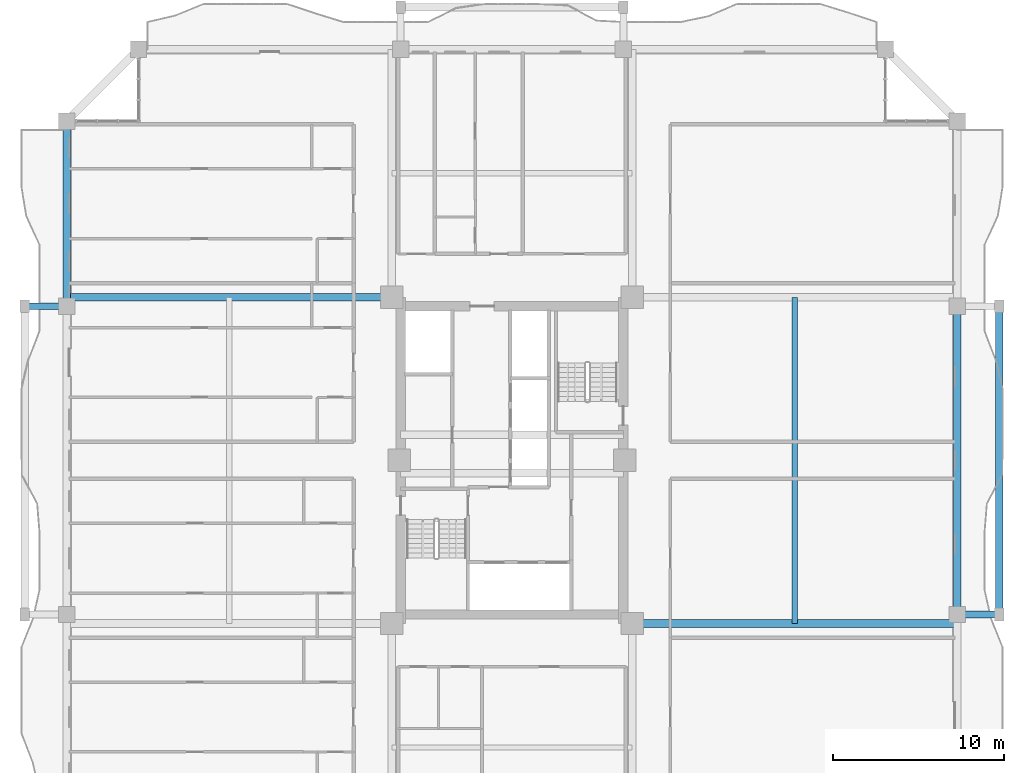
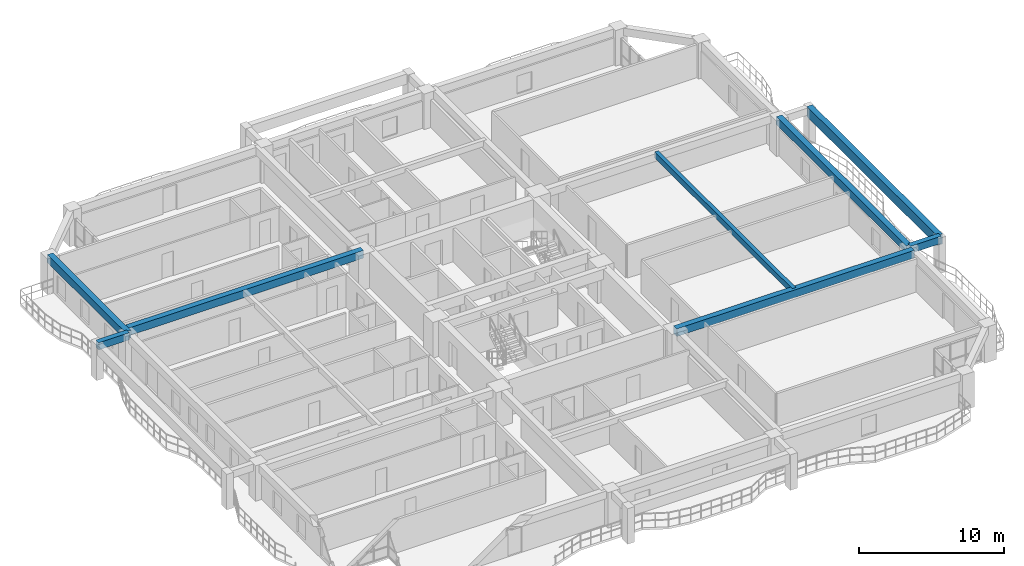
# One storey, part 5 of 22: 8 beams.
"""IFC4 building model written with IfcOpenShell, lengths in metres."""

from ifc_helpers import new_model, si_unit, direction, frame, origin, origin_2d, place, context, subcontext, project, spatial, rectangle, extrude, source, transform, mapped, material, material_profile, profile_set, type_object, element, save


model = new_model("IFC4")

# Units and contexts
model_context = context("Model", 3, precision=1e-05, world=origin(), true_north=direction((0.0, 1.0)))
body_context = subcontext(model_context, "Body", "Model", "MODEL_VIEW")
ifc_project = project(units=[si_unit("LENGTHUNIT", "METRE"), si_unit("AREAUNIT", "SQUARE_METRE"), si_unit("VOLUMEUNIT", "CUBIC_METRE"), si_unit("PLANEANGLEUNIT", "RADIAN"), si_unit("MASSUNIT", "GRAM", prefix="KILO")], contexts=[model_context])

# Site, building, storey
site_placement = place(None, origin())
site = spatial("IfcSite", under=ifc_project, at=site_placement, CompositionType="ELEMENT")
building_placement = place(site_placement, origin())
building = spatial("IfcBuilding", under=site, at=building_placement, Name="Saelheon Loggia Tower", CompositionType="ELEMENT")
storey_placement = place(building_placement, frame((0.0, 0.0, 135.75)))
storey = spatial("IfcBuildingStorey", under=building, at=storey_placement, Name="L43", CompositionType="ELEMENT", Elevation=135.75)

# Beams
ifc_material_1 = material(Name="Precast Concrete C45/55", Category="concrete")
ifc_material_profile_1 = material_profile(ifc_material_1, rectangle(XDim=0.39990234375, YDim=0.60009765625, at=origin_2d()), Name="RC-400x600")
ifc_profile_set_1 = profile_set([ifc_material_profile_1], Name="Precast Concrete C45/55")
beam_type_1 = type_object("IfcBeamType", Name="Beam_LoggiaTie_RC400x600", PredefinedType="BEAM", material=ifc_profile_set_1)
shared_shape_1 = source(origin(), body_context, "Body", "SweptSolid", [
    extrude(rectangle(XDim=0.39990234375, YDim=0.60009765625, at=origin_2d()), origin(), (0.0, 0.0, 1.0), 2.449951171875),
])
for number, where, z_axis, x_axis, name in (
    (1, (64.0, 18.0, 2.699951171875), (1.0, 0.0, 0.0), (0.0, 1.0, 0.0), "L43 Loggia Frame Tie Beam LP-E1"),
    (2, (12.0, 36.0, 2.699951171875), (-1.0, 0.0, 0.0), (0.0, -1.0, 0.0), "L43 Loggia Frame Tie Beam LP-W2"),
):
    element("IfcBeam", number, at=place(storey_placement, frame(where, z_axis=z_axis, x_axis=x_axis)), inside=storey, type_object=beam_type_1, Name=name, PredefinedType="BEAM", context=body_context, shape_type="MappedRepresentation", body=[
        mapped(shared_shape_1, transform((0.0, 0.0, 0.0), scale=1.0)),
    ])
ifc_material_profile_2 = material_profile(ifc_material_1, rectangle(XDim=0.449951171875, YDim=0.85009765625, at=origin_2d()), Name="RC-450x850")
ifc_profile_set_2 = profile_set([ifc_material_profile_2], Name="Precast Concrete C45/55")
beam_type_2 = type_object("IfcBeamType", Name="Beam_LoggiaSpandrel_RC450x850", PredefinedType="SPANDREL", material=ifc_profile_set_2)
shared_shape_2 = source(origin(), body_context, "Body", "SweptSolid", [
    extrude(rectangle(XDim=0.449951171875, YDim=0.85009765625, at=origin_2d()), origin(), (0.0, 0.0, 1.0), 18.0),
])
beam_1_placement = place(storey_placement, frame((66.449951171875, 18.0, 2.574951171875), z_axis=(0.0, 1.0, 0.0), x_axis=(-1.0, 0.0, 0.0)))
element("IfcBeam", 3, at=beam_1_placement, inside=storey, type_object=beam_type_2, Name="L43 Loggia Spandrel Beam E", PredefinedType="SPANDREL", context=body_context, shape_type="MappedRepresentation", body=[
    mapped(shared_shape_2, transform((0.0, 0.0, 0.0), scale=1.0)),
])
ifc_material_2 = material(Name="Concrete C40/50", Category="concrete")
ifc_material_profile_3 = material_profile(ifc_material_2, rectangle(XDim=0.449951171875, YDim=0.64990234375, at=origin_2d()), Name="RC-450x650")
ifc_profile_set_3 = profile_set([ifc_material_profile_3], Name="Concrete C40/50")
beam_type_3 = type_object("IfcBeamType", Name="Beam_PerimTower_RC450x650", PredefinedType="BEAM", material=ifc_profile_set_3)
shared_shape_3 = source(origin(), body_context, "Body", "SweptSolid", [
    extrude(rectangle(XDim=0.449951171875, YDim=0.64990234375, at=origin_2d()), origin(), (0.0, 0.0, 1.0), 10.800048828125),
])
beam_2_placement = place(storey_placement, frame((12.0, 46.800048828125, 2.675048828125), z_axis=(0.0, -1.0, 0.0), x_axis=(1.0, 0.0, 0.0)))
element("IfcBeam", 4, at=beam_2_placement, inside=storey, type_object=beam_type_3, Name="L43 Perimeter Frame Girder 13", PredefinedType="BEAM", context=body_context, shape_type="MappedRepresentation", body=[
    mapped(shared_shape_3, transform((0.0, 0.0, 0.0), scale=1.0)),
])
shared_shape_4 = source(origin(), body_context, "Body", "SweptSolid", [
    extrude(rectangle(XDim=0.449951171875, YDim=0.64990234375, at=origin_2d()), origin(), (0.0, 0.0, 1.0), 18.0),
])
beam_3_placement = place(storey_placement, frame((64.0, 18.0, 2.675048828125), z_axis=(0.0, 1.0, 0.0), x_axis=(-1.0, 0.0, 0.0)))
element("IfcBeam", 5, at=beam_3_placement, inside=storey, type_object=beam_type_3, Name="L43 Perimeter Frame Girder 06", PredefinedType="BEAM", context=body_context, shape_type="MappedRepresentation", body=[
    mapped(shared_shape_4, transform((0.0, 0.0, 0.0), scale=1.0)),
])
ifc_material_profile_4 = material_profile(ifc_material_2, rectangle(XDim=0.449951171875, YDim=0.64990234375, at=origin_2d()), Name="RC-450x650")
ifc_profile_set_4 = profile_set([ifc_material_profile_4], Name="Concrete C40/50")
beam_type_4 = type_object("IfcBeamType", Name="Beam_TowerGirder_RC450x650", PredefinedType="BEAM", material=ifc_profile_set_4)
shared_shape_5 = source(origin(), body_context, "Body", "SweptSolid", [
    extrude(rectangle(XDim=0.449951171875, YDim=0.64990234375, at=origin_2d()), origin(), (0.0, 0.0, 1.0), 18.97998046875),
])
for number, where, z_axis, x_axis, name in (
    (6, (30.97998046875, 36.52001953125, 2.675048828125), (-1.0, 0.0, 0.0), (0.0, -1.0, 0.0), "L43 Radial Floor Girder RAD-NW-W"),
    (7, (45.02001953125, 17.47998046875, 2.675048828125), (1.0, 0.0, 0.0), (0.0, 1.0, 0.0), "L43 Radial Floor Girder RAD-SE-E"),
):
    element("IfcBeam", number, at=place(storey_placement, frame(where, z_axis=z_axis, x_axis=x_axis)), inside=storey, type_object=beam_type_4, Name=name, PredefinedType="BEAM", context=body_context, shape_type="MappedRepresentation", body=[
        mapped(shared_shape_5, transform((0.0, 0.0, 0.0), scale=1.0)),
    ])
ifc_material_profile_5 = material_profile(ifc_material_2, rectangle(XDim=0.300048828125, YDim=0.5, at=origin_2d()), Name="RC-300x500")
ifc_profile_set_5 = profile_set([ifc_material_profile_5], Name="Concrete C40/50")
beam_type_5 = type_object("IfcBeamType", Name="Beam_Joist_RC300x500", PredefinedType="JOIST", material=ifc_profile_set_5)
shared_shape_6 = source(origin(), body_context, "Body", "SweptSolid", [
    extrude(rectangle(XDim=0.300048828125, YDim=0.5, at=origin_2d()), origin(), (0.0, 0.0, 1.0), 19.0400390625),
])
beam_4_placement = place(storey_placement, frame((54.510009765625, 17.47998046875, 2.75), z_axis=(0.0, 1.0, 0.0), x_axis=(-1.0, 0.0, 0.0)))
element("IfcBeam", 8, at=beam_4_placement, inside=storey, type_object=beam_type_5, Name="L43 East Floor Joist", PredefinedType="JOIST", context=body_context, shape_type="MappedRepresentation", body=[
    mapped(shared_shape_6, transform((0.0, 0.0, 0.0), scale=1.0)),
])

save(model, "model.ifc")
